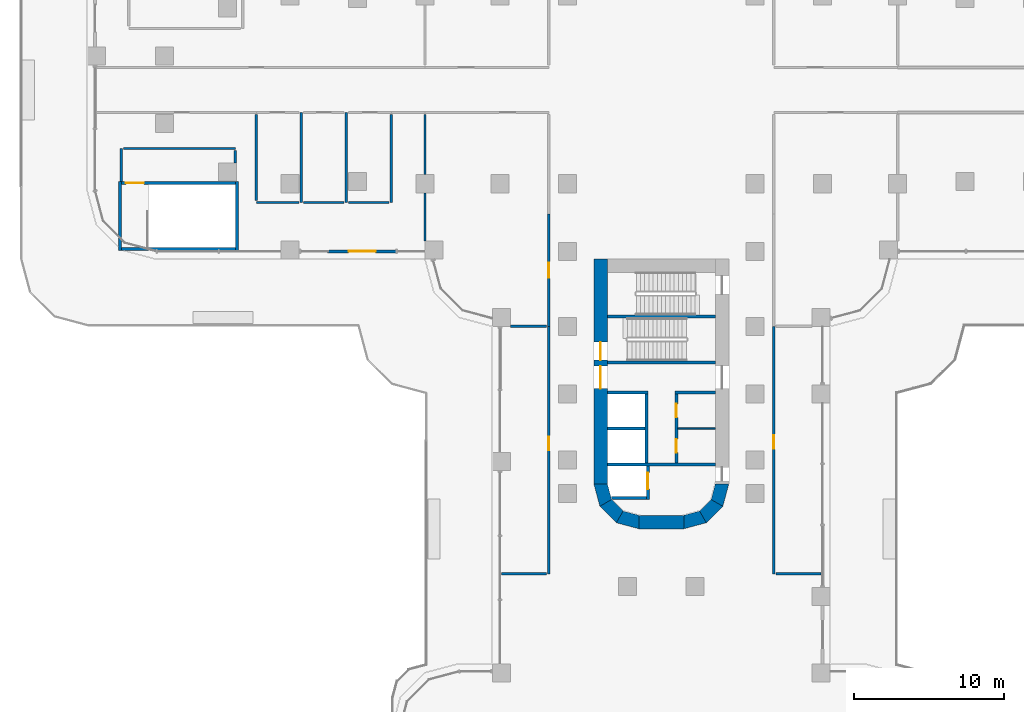
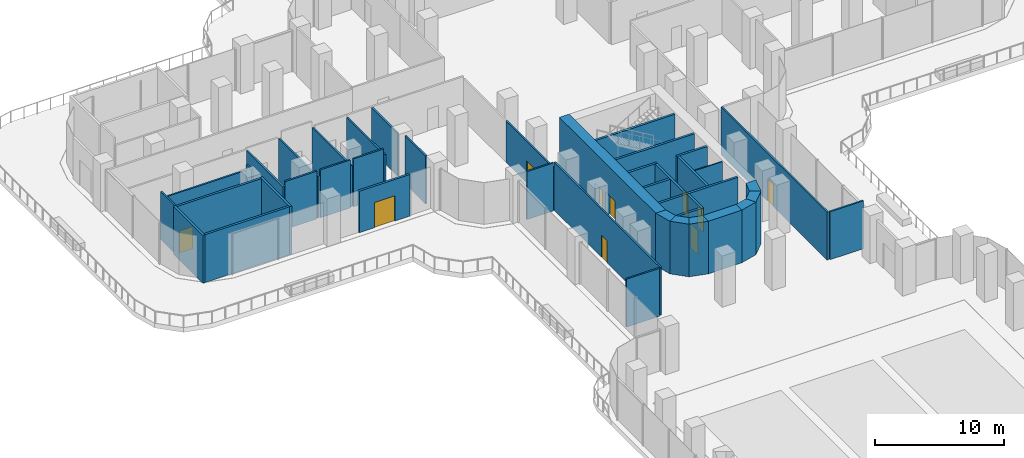
# One storey, part 13 of 21: 42 walls, 10 doors, 10 openings.
"""IFC4 building model written with IfcOpenShell, lengths in metres."""

from ifc_helpers import new_model, si_unit, direction, frame, frame_2d, origin, place, context, subcontext, project, spatial, polyline, rectangle, outline, extrude, material, layer, layer_set, type_object, element, fill, save


model = new_model("IFC4")

# Units and contexts
model_context = context("Model", 3, precision=1e-05, world=origin(), true_north=direction((0.0, 1.0)))
body_context = subcontext(model_context, "Body", "Model", "MODEL_VIEW")
ifc_project = project(units=[si_unit("LENGTHUNIT", "METRE"), si_unit("AREAUNIT", "SQUARE_METRE"), si_unit("VOLUMEUNIT", "CUBIC_METRE"), si_unit("PLANEANGLEUNIT", "RADIAN"), si_unit("MASSUNIT", "GRAM", prefix="KILO")], contexts=[model_context])

# Site, building, storey
site_placement = place(None, origin())
site = spatial("IfcSite", under=ifc_project, at=site_placement, CompositionType="ELEMENT")
building_placement = place(site_placement, origin())
building = spatial("IfcBuilding", under=site, at=building_placement, Name="Zarbagh Exchange Tower", CompositionType="ELEMENT")
storey_placement = place(building_placement, frame((0.0, 0.0, 22.0)))
storey = spatial("IfcBuildingStorey", under=building, at=storey_placement, Name="L04", CompositionType="ELEMENT", Elevation=22.0)

# Walls
ifc_material_1 = material(Name="Plasterboard partition")
ifc_layer_1 = layer(ifc_material_1, 0.14990234375)
ifc_layer_set_1 = layer_set([ifc_layer_1], Name="Board partition 150")
wall_type_1 = type_object("IfcWallType", Name="Board partition 150", PredefinedType="PARTITIONING", material=ifc_layer_set_1)
wall_1_placement = place(storey_placement, frame((-36.0, -6.10009765625, 0.0), z_axis=(0.0, 0.0, 1.0), x_axis=(0.0, 1.0, 0.0)))
element("IfcWall", 1, at=wall_1_placement, inside=storey, type_object=wall_type_1, Name="WL-L04-W006", PredefinedType="PARTITIONING", context=body_context, shape_type="SweptSolid", body=[
    extrude(rectangle(XDim=2.2001953125, YDim=0.14990234375, at=frame_2d((1.10009765625, 0.0))), origin(), (0.0, 0.0, 1.0), 4.550048828125),
])
wall_2_placement = place(storey_placement, frame((-35.85009765625, -3.89990234375, 0.0), z_axis=(0.0, 0.0, 1.0), x_axis=(1.0, 0.0, 0.0)))
element("IfcWall", 2, at=wall_2_placement, inside=storey, type_object=wall_type_1, Name="WL-L04-W007", PredefinedType="PARTITIONING", context=body_context, shape_type="SweptSolid", body=[
    extrude(rectangle(XDim=7.4501953125, YDim=0.14990234375, at=frame_2d((3.72509765625, 0.0))), origin(), (0.0, 0.0, 1.0), 3.929931640625),
])
wall_3_placement = place(storey_placement, frame((-28.39990234375, -4.050048828125, 0.0), z_axis=(0.0, 0.0, 1.0), x_axis=(0.0, -1.0, 0.0)))
element("IfcWall", 3, at=wall_3_placement, inside=storey, type_object=wall_type_1, Name="WL-L04-W008", PredefinedType="PARTITIONING", context=body_context, shape_type="SweptSolid", body=[
    extrude(rectangle(XDim=0.824951171875, YDim=0.14990234375, at=frame_2d((0.41259765625, 0.0))), origin(), (0.0, 0.0, 1.0), 4.550048828125),
])
wall_4_placement = place(storey_placement, frame((-24.0, -1.5, 0.0), z_axis=(0.0, 0.0, 1.0), x_axis=(0.0, -1.0, 0.0)))
element("IfcWall", 4, at=wall_4_placement, inside=storey, type_object=wall_type_1, Name="WL-L04-W015", PredefinedType="PARTITIONING", context=body_context, shape_type="SweptSolid", body=[
    extrude(rectangle(XDim=6.0, YDim=0.14990234375, at=frame_2d((3.0, 0.0))), origin(), (0.0, 0.0, 1.0), 3.929931640625),
])
wall_5_placement = place(storey_placement, frame((-24.14990234375, -7.5, 0.0), z_axis=(0.0, 0.0, 1.0), x_axis=(-1.0, 0.0, 0.0)))
element("IfcWall", 5, at=wall_5_placement, inside=storey, type_object=wall_type_1, Name="WL-L04-W017", PredefinedType="PARTITIONING", context=body_context, shape_type="SweptSolid", body=[
    extrude(rectangle(XDim=2.85009765625, YDim=0.14990234375, at=frame_2d((1.425048828125, 0.0))), origin(), (0.0, 0.0, 1.0), 4.550048828125),
])
wall_6_placement = place(storey_placement, frame((-27.0, -7.35009765625, 0.0), z_axis=(0.0, 0.0, 1.0), x_axis=(0.0, 1.0, 0.0)))
element("IfcWall", 6, at=wall_6_placement, inside=storey, type_object=wall_type_1, Name="WL-L04-W018", PredefinedType="PARTITIONING", context=body_context, shape_type="SweptSolid", body=[
    extrude(rectangle(XDim=5.7001953125, YDim=0.14990234375, at=frame_2d((2.85009765625, 0.0))), origin(), (0.0, 0.0, 1.0), 3.929931640625),
])
wall_7_placement = place(storey_placement, frame((-21.0, -1.5, 0.0), z_axis=(0.0, 0.0, 1.0), x_axis=(0.0, -1.0, 0.0)))
element("IfcWall", 7, at=wall_7_placement, inside=storey, type_object=wall_type_1, Name="WL-L04-W019", PredefinedType="PARTITIONING", context=body_context, shape_type="SweptSolid", body=[
    extrude(rectangle(XDim=6.0, YDim=0.14990234375, at=frame_2d((3.0, 0.0))), origin(), (0.0, 0.0, 1.0), 3.929931640625),
])
wall_8_placement = place(storey_placement, frame((-21.14990234375, -7.5, 0.0), z_axis=(0.0, 0.0, 1.0), x_axis=(-1.0, 0.0, 0.0)))
element("IfcWall", 8, at=wall_8_placement, inside=storey, type_object=wall_type_1, Name="WL-L04-W021", PredefinedType="PARTITIONING", context=body_context, shape_type="SweptSolid", body=[
    extrude(rectangle(XDim=2.7001953125, YDim=0.14990234375, at=frame_2d((1.35009765625, 0.0))), origin(), (0.0, 0.0, 1.0), 4.550048828125),
])
wall_9_placement = place(storey_placement, frame((-18.0, -1.64990234375, 0.0), z_axis=(0.0, 0.0, 1.0), x_axis=(0.0, -1.0, 0.0)))
element("IfcWall", 9, at=wall_9_placement, inside=storey, type_object=wall_type_1, Name="WL-L04-W023", PredefinedType="PARTITIONING", context=body_context, shape_type="SweptSolid", body=[
    extrude(rectangle(XDim=5.85009765625, YDim=0.14990234375, at=frame_2d((2.925048828125, 0.0))), origin(), (0.0, 0.0, 1.0), 3.929931640625),
])
wall_10_placement = place(storey_placement, frame((-18.14990234375, -7.5, 0.0), z_axis=(0.0, 0.0, 1.0), x_axis=(-1.0, 0.0, 0.0)))
element("IfcWall", 10, at=wall_10_placement, inside=storey, type_object=wall_type_1, Name="WL-L04-W024", PredefinedType="PARTITIONING", context=body_context, shape_type="SweptSolid", body=[
    extrude(rectangle(XDim=2.7001953125, YDim=0.14990234375, at=frame_2d((1.35009765625, 0.0))), origin(), (0.0, 0.0, 1.0), 4.550048828125),
])

# Wall, opening, door
wall_11_placement = place(storey_placement, frame((7.5, -15.75, 0.0), z_axis=(0.0, 0.0, 1.0), x_axis=(0.0, -1.0, 0.0)))
wall_11 = element("IfcWall", 11, at=wall_11_placement, inside=storey, type_object=wall_type_1, Name="WL-L04-W030", PredefinedType="PARTITIONING", context=body_context, shape_type="SweptSolid", body=[
    extrude(rectangle(XDim=16.5, YDim=0.14990234375, at=frame_2d((8.25, 0.0))), origin(), (0.0, 0.0, 1.0), 4.550048828125),
])
opening_1_placement = place(wall_11_placement, frame((7.25, 0.0, 0.0)))
opening_1 = element("IfcOpeningElement", 12, at=opening_1_placement, cuts=wall_11, Name="Opening D49", PredefinedType="OPENING", context=body_context, shape_type="SweptSolid", body=[
    extrude(rectangle(XDim=0.89990234375, YDim=2.10009765625, at=frame_2d((0.449951171875, 1.050048828125))), frame((0.0, 0.0849609375, 0.0), z_axis=(0.0, -1.0, 0.0), x_axis=(1.0, 0.0, 0.0)), (0.0, 0.0, 1.0), 0.169921875),
])
ifc_material_2 = material(Name="Timber door leaf", Category="wood")
door_type_1 = type_object("IfcDoorType", Name="Door single 900x2100", OperationType="SINGLE_SWING_LEFT", PredefinedType="DOOR", material=ifc_material_2)
door_1_placement = place(opening_1_placement, origin())
door_1 = element("IfcDoor", 13, at=door_1_placement, inside=storey, type_object=door_type_1, Name="D08", OperationType="SINGLE_SWING_LEFT", OverallHeight=2.10009765625, OverallWidth=0.89990234375, PredefinedType="DOOR", context=body_context, shape_type="SweptSolid", body=[
    extrude(rectangle(XDim=0.89990234375, YDim=2.10009765625, at=frame_2d((0.449951171875, 1.050048828125))), frame((0.0, 0.02490234375, 0.0), z_axis=(0.0, -1.0, 0.0), x_axis=(1.0, 0.0, 0.0)), (0.0, 0.0, 1.0), 0.050048828125),
])
fill(opening_1, door_1)

wall_12_placement = place(storey_placement, frame((-7.5, -15.75, 0.0), z_axis=(0.0, 0.0, 1.0), x_axis=(0.0, 1.0, 0.0)))
wall_12 = element("IfcWall", 14, at=wall_12_placement, inside=storey, type_object=wall_type_1, Name="WL-L04-W031", PredefinedType="PARTITIONING", context=body_context, shape_type="SweptSolid", body=[
    extrude(rectangle(XDim=7.5, YDim=0.14990234375, at=frame_2d((3.75, 0.0))), origin(), (0.0, 0.0, 1.0), 3.929931640625),
])
opening_2_placement = place(wall_12_placement, frame((3.25, 0.0, 0.0)))
opening_2 = element("IfcOpeningElement", 15, at=opening_2_placement, cuts=wall_12, Name="Opening D51", PredefinedType="OPENING", context=body_context, shape_type="SweptSolid", body=[
    extrude(rectangle(XDim=1.0, YDim=2.10009765625, at=frame_2d((0.5, 1.050048828125))), frame((0.0, 0.0849609375, 0.0), z_axis=(0.0, -1.0, 0.0), x_axis=(1.0, 0.0, 0.0)), (0.0, 0.0, 1.0), 0.169921875),
])
door_type_2 = type_object("IfcDoorType", Name="Door single 1000x2100", OperationType="SINGLE_SWING_LEFT", PredefinedType="DOOR", material=ifc_material_2)
door_2_placement = place(opening_2_placement, origin())
door_2 = element("IfcDoor", 16, at=door_2_placement, inside=storey, type_object=door_type_2, Name="D09", OperationType="SINGLE_SWING_LEFT", OverallHeight=2.10009765625, OverallWidth=1.0, PredefinedType="DOOR", context=body_context, shape_type="SweptSolid", body=[
    extrude(rectangle(XDim=1.0, YDim=2.10009765625, at=frame_2d((0.5, 1.050048828125))), frame((0.0, 0.02490234375, 0.0), z_axis=(0.0, -1.0, 0.0), x_axis=(1.0, 0.0, 0.0)), (0.0, 0.0, 1.0), 0.050048828125),
])
fill(opening_2, door_2)

wall_13_placement = place(storey_placement, frame((-7.5, -32.25, 0.0), z_axis=(0.0, 0.0, 1.0), x_axis=(0.0, 1.0, 0.0)))
wall_13 = element("IfcWall", 17, at=wall_13_placement, inside=storey, type_object=wall_type_1, Name="WL-L04-W032", PredefinedType="PARTITIONING", context=body_context, shape_type="SweptSolid", body=[
    extrude(rectangle(XDim=16.5, YDim=0.14990234375, at=frame_2d((8.25, 0.0))), origin(), (0.0, 0.0, 1.0), 4.550048828125),
])
opening_3_placement = place(wall_13_placement, frame((8.25, 0.0, 0.0)))
opening_3 = element("IfcOpeningElement", 18, at=opening_3_placement, cuts=wall_13, Name="Opening D10", PredefinedType="OPENING", context=body_context, shape_type="SweptSolid", body=[
    extrude(rectangle(XDim=0.89990234375, YDim=2.10009765625, at=frame_2d((0.449951171875, 1.050048828125))), frame((0.0, 0.0849609375, 0.0), z_axis=(0.0, -1.0, 0.0), x_axis=(1.0, 0.0, 0.0)), (0.0, 0.0, 1.0), 0.169921875),
])
door_3_placement = place(opening_3_placement, origin())
door_3 = element("IfcDoor", 19, at=door_3_placement, inside=storey, type_object=door_type_1, Name="D10", OperationType="SINGLE_SWING_LEFT", OverallHeight=2.10009765625, OverallWidth=0.89990234375, PredefinedType="DOOR", context=body_context, shape_type="SweptSolid", body=[
    extrude(rectangle(XDim=0.89990234375, YDim=2.10009765625, at=frame_2d((0.449951171875, 1.050048828125))), frame((0.0, 0.02490234375, 0.0), z_axis=(0.0, -1.0, 0.0), x_axis=(1.0, 0.0, 0.0)), (0.0, 0.0, 1.0), 0.050048828125),
])
fill(opening_3, door_3)

# Walls
wall_14_placement = place(storey_placement, frame((10.64990234375, -32.25, 0.0), z_axis=(0.0, 0.0, 1.0), x_axis=(-1.0, 0.0, 0.0)))
element("IfcWall", 20, at=wall_14_placement, inside=storey, type_object=wall_type_1, Name="WL-L04-W056", PredefinedType="PARTITIONING", context=body_context, shape_type="SweptSolid", body=[
    extrude(rectangle(XDim=3.0, YDim=0.14990234375, at=frame_2d((1.5, 0.0))), origin(), (0.0, 0.0, 1.0), 4.550048828125),
])
wall_15_placement = place(storey_placement, frame((-15.75, -10.050048828125, 0.0), z_axis=(0.0, 0.0, 1.0), x_axis=(0.0, 1.0, 0.0)))
element("IfcWall", 21, at=wall_15_placement, inside=storey, type_object=wall_type_1, Name="WL-L04-W057", PredefinedType="PARTITIONING", context=body_context, shape_type="SweptSolid", body=[
    extrude(rectangle(XDim=3.199951171875, YDim=0.14990234375, at=frame_2d((1.60009765625, 0.0))), origin(), (0.0, 0.0, 1.0), 4.550048828125),
])
wall_16_placement = place(storey_placement, frame((-15.75, -5.64990234375, 0.0), z_axis=(0.0, 0.0, 1.0), x_axis=(0.0, 1.0, 0.0)))
element("IfcWall", 22, at=wall_16_placement, inside=storey, type_object=wall_type_1, Name="WL-L04-W058", PredefinedType="PARTITIONING", context=body_context, shape_type="SweptSolid", body=[
    extrude(rectangle(XDim=4.0, YDim=0.14990234375, at=frame_2d((2.0, 0.0))), origin(), (0.0, 0.0, 1.0), 4.06298828125),
])
wall_17_placement = place(storey_placement, frame((-7.64990234375, -15.75, 0.0), z_axis=(0.0, 0.0, 1.0), x_axis=(-1.0, 0.0, 0.0)))
element("IfcWall", 23, at=wall_17_placement, inside=storey, type_object=wall_type_1, Name="WL-L04-W059", PredefinedType="PARTITIONING", context=body_context, shape_type="SweptSolid", body=[
    extrude(rectangle(XDim=2.400146484375, YDim=0.14990234375, at=frame_2d((1.2001953125, 0.0))), origin(), (0.0, 0.0, 1.0), 4.550048828125),
])
wall_18_placement = place(storey_placement, frame((-7.64990234375, -32.25, 0.0), z_axis=(0.0, 0.0, 1.0), x_axis=(-1.0, 0.0, 0.0)))
element("IfcWall", 24, at=wall_18_placement, inside=storey, type_object=wall_type_1, Name="WL-L04-W061", PredefinedType="PARTITIONING", context=body_context, shape_type="SweptSolid", body=[
    extrude(rectangle(XDim=3.0, YDim=0.14990234375, at=frame_2d((1.5, 0.0))), origin(), (0.0, 0.0, 1.0), 4.550048828125),
])
ifc_material_3 = material(Name="Dense blockwork", Category="masonry")
ifc_layer_2 = layer(ifc_material_3, 0.10009765625)
ifc_layer_set_2 = layer_set([ifc_layer_2], Name="Core partition 100 mm blockwork")
wall_type_2 = type_object("IfcWallType", Name="Core partition 100 mm blockwork", PredefinedType="PARTITIONING", material=ifc_layer_set_2)
wall_19_placement = place(storey_placement, frame((3.60009765625, -22.550048828125, 0.0), z_axis=(0.0, 0.0, 1.0), x_axis=(-1.0, 0.0, 0.0)))
element("IfcWall", 25, at=wall_19_placement, inside=storey, type_object=wall_type_2, Name="South core partition wall CUT-W-580", PredefinedType="PARTITIONING", context=body_context, shape_type="SweptSolid", body=[
    extrude(rectangle(XDim=2.5, YDim=0.10009765625, at=frame_2d((1.25, 0.0))), origin(), (0.0, 0.0, 1.0), 4.85009765625),
])
ifc_material_4 = material(Name="Concrete C60/75", Category="concrete")
ifc_layer_3 = layer(ifc_material_4, 0.89990234375)
ifc_layer_set_3 = layer_set([ifc_layer_3], Name="RC core corner wall 900 C60/75")
wall_type_3 = type_object("IfcWallType", Name="RC core corner wall 900 C60/75", PredefinedType="SHEAR", material=ifc_layer_set_3)
wall_20_placement = place(storey_placement, origin())
element("IfcWall", 26, at=wall_20_placement, inside=storey, type_object=wall_type_3, Name="CW2 core S corner W", PredefinedType="SHEAR", context=body_context, shape_type="SweptSolid", body=[
    extrude(outline(polyline([(-4.5, -26.25), (-4.09814453125, -27.75), (-3.318603515625, -27.300048828125), (-3.60009765625, -26.25), (-4.5, -26.25)])), origin(), (0.0, 0.0, 1.0), 5.0),
])
wall_21_placement = place(storey_placement, origin())
element("IfcWall", 27, at=wall_21_placement, inside=storey, type_object=wall_type_3, Name="CW2 core S corner W", PredefinedType="SHEAR", context=body_context, shape_type="SweptSolid", body=[
    extrude(outline(polyline([(-4.09814453125, -27.75), (-3.0, -28.84814453125), (-2.550048828125, -28.068603515625), (-3.318603515625, -27.300048828125), (-4.09814453125, -27.75)])), origin(), (0.0, 0.0, 1.0), 5.0),
])
wall_22_placement = place(storey_placement, origin())
element("IfcWall", 28, at=wall_22_placement, inside=storey, type_object=wall_type_3, Name="CW2 core S corner W", PredefinedType="SHEAR", context=body_context, shape_type="SweptSolid", body=[
    extrude(outline(polyline([(-3.0, -28.84814453125), (-1.5, -29.25), (-1.5, -28.35009765625), (-2.550048828125, -28.068603515625), (-3.0, -28.84814453125)])), origin(), (0.0, 0.0, 1.0), 5.0),
])
wall_23_placement = place(storey_placement, origin())
element("IfcWall", 29, at=wall_23_placement, inside=storey, type_object=wall_type_3, Name="CW2 core S corner E", PredefinedType="SHEAR", context=body_context, shape_type="SweptSolid", body=[
    extrude(outline(polyline([(4.5, -26.25), (4.09814453125, -27.75), (3.318603515625, -27.300048828125), (3.60009765625, -26.25), (4.5, -26.25)])), origin(), (0.0, 0.0, 1.0), 5.0),
])
wall_24_placement = place(storey_placement, origin())
element("IfcWall", 30, at=wall_24_placement, inside=storey, type_object=wall_type_3, Name="CW2 core S corner E", PredefinedType="SHEAR", context=body_context, shape_type="SweptSolid", body=[
    extrude(outline(polyline([(4.09814453125, -27.75), (3.0, -28.84814453125), (2.550048828125, -28.068603515625), (3.318603515625, -27.300048828125), (4.09814453125, -27.75)])), origin(), (0.0, 0.0, 1.0), 5.0),
])
wall_25_placement = place(storey_placement, origin())
element("IfcWall", 31, at=wall_25_placement, inside=storey, type_object=wall_type_3, Name="CW2 core S corner E", PredefinedType="SHEAR", context=body_context, shape_type="SweptSolid", body=[
    extrude(outline(polyline([(3.0, -28.84814453125), (1.5, -29.25), (1.5, -28.35009765625), (2.550048828125, -28.068603515625), (3.0, -28.84814453125)])), origin(), (0.0, 0.0, 1.0), 5.0),
])

# Wall, openings, doors
ifc_layer_4 = layer(ifc_material_4, 0.89990234375)
ifc_layer_set_4 = layer_set([ifc_layer_4], Name="RC core wall 900 C60/75")
wall_type_4 = type_object("IfcWallType", Name="RC core wall 900 C60/75", PredefinedType="SHEAR", material=ifc_layer_set_4)
wall_26_placement = place(storey_placement, frame((-4.050048828125, -11.25, 0.0), z_axis=(0.0, 0.0, 1.0), x_axis=(0.0, -1.0, 0.0)))
wall_26 = element("IfcWall", 32, at=wall_26_placement, inside=storey, type_object=wall_type_4, Name="CW1 core S W", PredefinedType="SHEAR", context=body_context, shape_type="SweptSolid", body=[
    extrude(rectangle(XDim=15.0, YDim=0.89990234375, at=frame_2d((7.5, 0.0))), origin(), (0.0, 0.0, 1.0), 5.0),
])
opening_4_placement = place(wall_26_placement, frame((7.14990234375, 0.0, 0.0)))
opening_4 = element("IfcOpeningElement", 33, at=opening_4_placement, cuts=wall_26, Name="Opening CD1-1500", PredefinedType="OPENING", context=body_context, shape_type="SweptSolid", body=[
    extrude(rectangle(XDim=1.5, YDim=2.300048828125, at=frame_2d((0.75, 1.14990234375))), frame((0.0, 0.4599609375, 0.0), z_axis=(0.0, -1.0, 0.0), x_axis=(1.0, 0.0, 0.0)), (0.0, 0.0, 1.0), 0.919921875),
])
opening_5_placement = place(wall_26_placement, frame((5.550048828125, 0.0, 0.0)))
opening_5 = element("IfcOpeningElement", 34, at=opening_5_placement, cuts=wall_26, Name="Opening SD1-1200", PredefinedType="OPENING", context=body_context, shape_type="SweptSolid", body=[
    extrude(rectangle(XDim=1.199951171875, YDim=2.10009765625, at=frame_2d((0.60009765625, 1.050048828125))), frame((0.0, 0.4599609375, 0.0), z_axis=(0.0, -1.0, 0.0), x_axis=(1.0, 0.0, 0.0)), (0.0, 0.0, 1.0), 0.919921875),
])
ifc_material_5 = material(Name="Steel", Category="steel")
door_type_3 = type_object("IfcDoorType", Name="Exit stair door 1200 x 2100", OperationType="NOTDEFINED", PredefinedType="DOOR", material=ifc_material_5)
door_4_placement = place(opening_5_placement, origin())
door_4 = element("IfcDoor", 35, at=door_4_placement, inside=storey, type_object=door_type_3, Name="South core stair door ST1", OperationType="SINGLE_SWING_LEFT", OverallHeight=2.10009765625, OverallWidth=1.199951171875, PredefinedType="DOOR", context=body_context, shape_type="SweptSolid", body=[
    extrude(rectangle(XDim=1.199951171875, YDim=2.10009765625, at=frame_2d((0.60009765625, 1.050048828125))), frame((0.0, 0.02490234375, 0.0), z_axis=(0.0, -1.0, 0.0), x_axis=(1.0, 0.0, 0.0)), (0.0, 0.0, 1.0), 0.050048828125),
])
fill(opening_5, door_4)
door_type_4 = type_object("IfcDoorType", Name="Lift lobby double door 1500 x 2300", OperationType="NOTDEFINED", PredefinedType="DOOR", material=ifc_material_5)
door_5_placement = place(opening_4_placement, origin())
door_5 = element("IfcDoor", 36, at=door_5_placement, inside=storey, type_object=door_type_4, Name="South core lift lobby door LOBBY-E", OperationType="DOUBLE_DOOR_SINGLE_SWING", OverallHeight=2.300048828125, OverallWidth=1.5, PredefinedType="DOOR", context=body_context, shape_type="SweptSolid", body=[
    extrude(rectangle(XDim=1.5, YDim=2.300048828125, at=frame_2d((0.75, 1.14990234375))), frame((0.0, 0.02490234375, 0.0), z_axis=(0.0, -1.0, 0.0), x_axis=(1.0, 0.0, 0.0)), (0.0, 0.0, 1.0), 0.050048828125),
])
fill(opening_4, door_5)

# Walls
wall_27_placement = place(storey_placement, frame((-1.5, -28.800048828125, 0.0), z_axis=(0.0, 0.0, 1.0), x_axis=(1.0, 0.0, 0.0)))
element("IfcWall", 37, at=wall_27_placement, inside=storey, type_object=wall_type_4, Name="CW1 core S outer end", PredefinedType="SHEAR", context=body_context, shape_type="SweptSolid", body=[
    extrude(rectangle(XDim=3.0, YDim=0.89990234375, at=frame_2d((1.5, 0.0))), origin(), (0.0, 0.0, 1.0), 5.0),
])
ifc_layer_5 = layer(ifc_material_3, 0.199951171875)
ifc_layer_set_5 = layer_set([ifc_layer_5], Name="Shaft wall 200 mm blockwork")
wall_type_5 = type_object("IfcWallType", Name="Shaft wall 200 mm blockwork", PredefinedType="PARTITIONING", material=ifc_layer_set_5)
wall_28_placement = place(storey_placement, frame((3.60009765625, -20.14990234375, 0.0), z_axis=(0.0, 0.0, 1.0), x_axis=(-1.0, 0.0, 0.0)))
element("IfcWall", 38, at=wall_28_placement, inside=storey, type_object=wall_type_5, Name="South core shaft wall AB-W", PredefinedType="PARTITIONING", context=body_context, shape_type="SweptSolid", body=[
    extrude(rectangle(XDim=2.7001953125, YDim=0.199951171875, at=frame_2d((1.35009765625, 0.0))), origin(), (0.0, 0.0, 1.0), 4.85009765625),
])

# Wall, openings, doors
wall_29_placement = place(storey_placement, frame((1.0, -24.85009765625, 0.0), z_axis=(0.0, 0.0, 1.0), x_axis=(0.0, 1.0, 0.0)))
wall_29 = element("IfcWall", 39, at=wall_29_placement, inside=storey, type_object=wall_type_5, Name="South core shaft wall LW-W", PredefinedType="PARTITIONING", context=body_context, shape_type="SweptSolid", body=[
    extrude(rectangle(XDim=4.60009765625, YDim=0.199951171875, at=frame_2d((2.300048828125, 0.0))), origin(), (0.0, 0.0, 1.0), 4.85009765625),
])
opening_6_placement = place(wall_29_placement, frame((0.675048828125, 0.0, 0.0)))
opening_6 = element("IfcOpeningElement", 40, at=opening_6_placement, cuts=wall_29, Name="Opening CD3-900", PredefinedType="OPENING", context=body_context, shape_type="SweptSolid", body=[
    extrude(rectangle(XDim=0.89990234375, YDim=2.10009765625, at=frame_2d((0.449951171875, 1.050048828125))), frame((0.0, 0.10986328125, 0.0), z_axis=(0.0, -1.0, 0.0), x_axis=(1.0, 0.0, 0.0)), (0.0, 0.0, 1.0), 0.219970703125),
])
opening_7_placement = place(wall_29_placement, frame((3.02490234375, 0.0, 0.0)))
opening_7 = element("IfcOpeningElement", 41, at=opening_7_placement, cuts=wall_29, Name="Opening CD3-900", PredefinedType="OPENING", context=body_context, shape_type="SweptSolid", body=[
    extrude(rectangle(XDim=0.89990234375, YDim=2.10009765625, at=frame_2d((0.449951171875, 1.050048828125))), frame((0.0, 0.10986328125, 0.0), z_axis=(0.0, -1.0, 0.0), x_axis=(1.0, 0.0, 0.0)), (0.0, 0.0, 1.0), 0.219970703125),
])
door_type_5 = type_object("IfcDoorType", Name="Core room door 900 x 2100", OperationType="NOTDEFINED", PredefinedType="DOOR", material=ifc_material_5)
door_6_placement = place(opening_6_placement, origin())
door_6 = element("IfcDoor", 42, at=door_6_placement, inside=storey, type_object=door_type_5, Name="South core Staff WC door RD-W-0", OperationType="SINGLE_SWING_LEFT", OverallHeight=2.10009765625, OverallWidth=0.89990234375, PredefinedType="DOOR", context=body_context, shape_type="SweptSolid", body=[
    extrude(rectangle(XDim=0.89990234375, YDim=2.10009765625, at=frame_2d((0.449951171875, 1.050048828125))), frame((0.0, 0.02490234375, 0.0), z_axis=(0.0, -1.0, 0.0), x_axis=(1.0, 0.0, 0.0)), (0.0, 0.0, 1.0), 0.050048828125),
])
fill(opening_6, door_6)
door_7_placement = place(opening_7_placement, origin())
door_7 = element("IfcDoor", 43, at=door_7_placement, inside=storey, type_object=door_type_5, Name="South core Accessible WC door RD-W-1", OperationType="SINGLE_SWING_LEFT", OverallHeight=2.10009765625, OverallWidth=0.89990234375, PredefinedType="DOOR", context=body_context, shape_type="SweptSolid", body=[
    extrude(rectangle(XDim=0.89990234375, YDim=2.10009765625, at=frame_2d((0.449951171875, 1.050048828125))), frame((0.0, 0.02490234375, 0.0), z_axis=(0.0, -1.0, 0.0), x_axis=(1.0, 0.0, 0.0)), (0.0, 0.0, 1.0), 0.050048828125),
])
fill(opening_7, door_7)

# Walls
wall_30_placement = place(storey_placement, frame((-0.89990234375, -20.14990234375, 0.0), z_axis=(0.0, 0.0, 1.0), x_axis=(-1.0, 0.0, 0.0)))
element("IfcWall", 44, at=wall_30_placement, inside=storey, type_object=wall_type_5, Name="South core shaft wall AB-E", PredefinedType="PARTITIONING", context=body_context, shape_type="SweptSolid", body=[
    extrude(rectangle(XDim=2.7001953125, YDim=0.199951171875, at=frame_2d((1.35009765625, 0.0))), origin(), (0.0, 0.0, 1.0), 4.85009765625),
])
wall_31_placement = place(storey_placement, frame((-1.0, -24.85009765625, 0.0), z_axis=(0.0, 0.0, 1.0), x_axis=(0.0, 1.0, 0.0)))
element("IfcWall", 45, at=wall_31_placement, inside=storey, type_object=wall_type_5, Name="South core shaft wall LW-E", PredefinedType="PARTITIONING", context=body_context, shape_type="SweptSolid", body=[
    extrude(rectangle(XDim=4.60009765625, YDim=0.199951171875, at=frame_2d((2.300048828125, 0.0))), origin(), (0.0, 0.0, 1.0), 4.85009765625),
])
wall_32_placement = place(storey_placement, frame((-1.10009765625, -22.550048828125, 0.0), z_axis=(0.0, 0.0, 1.0), x_axis=(-1.0, 0.0, 0.0)))
element("IfcWall", 46, at=wall_32_placement, inside=storey, type_object=wall_type_5, Name="South core shaft wall TR-E", PredefinedType="PARTITIONING", context=body_context, shape_type="SweptSolid", body=[
    extrude(rectangle(XDim=2.5, YDim=0.199951171875, at=frame_2d((1.25, 0.0))), origin(), (0.0, 0.0, 1.0), 4.85009765625),
])
ifc_material_6 = material(Name="Concrete C40/50", Category="concrete")
ifc_layer_6 = layer(ifc_material_6, 0.199951171875)
ifc_layer_set_6 = layer_set([ifc_layer_6], Name="Stair enclosure wall 200 mm RC C40/50")
wall_type_6 = type_object("IfcWallType", Name="Stair enclosure wall 200 mm RC C40/50", PredefinedType="SHEAR", material=ifc_layer_set_6)
wall_33_placement = place(storey_placement, frame((3.60009765625, -24.949951171875, 0.0), z_axis=(0.0, 0.0, 1.0), x_axis=(-1.0, 0.0, 0.0)))
element("IfcWall", 47, at=wall_33_placement, inside=storey, type_object=wall_type_6, Name="South core lift shaft wall FFA", PredefinedType="SHEAR", context=body_context, shape_type="SweptSolid", body=[
    extrude(rectangle(XDim=7.2001953125, YDim=0.199951171875, at=frame_2d((3.60009765625, 0.0))), origin(), (0.0, 0.0, 1.0), 4.85009765625),
])

# Wall, opening, door
wall_34_placement = place(storey_placement, frame((-0.89990234375, -27.300048828125, 0.0), z_axis=(0.0, 0.0, 1.0), x_axis=(0.0, 1.0, 0.0)))
wall_34 = element("IfcWall", 48, at=wall_34_placement, inside=storey, type_object=wall_type_6, Name="South core lift shaft wall FFL", PredefinedType="SHEAR", context=body_context, shape_type="SweptSolid", body=[
    extrude(rectangle(XDim=2.25, YDim=0.199951171875, at=frame_2d((1.125, 0.0))), origin(), (0.0, 0.0, 1.0), 4.85009765625),
])
opening_8_placement = place(wall_34_placement, frame((0.699951171875, 0.0, 0.0)))
opening_8 = element("IfcOpeningElement", 49, at=opening_8_placement, cuts=wall_34, Name="Opening LD-1100", PredefinedType="OPENING", context=body_context, shape_type="SweptSolid", body=[
    extrude(rectangle(XDim=1.10009765625, YDim=2.300048828125, at=frame_2d((0.550048828125, 1.14990234375))), frame((0.0, 0.10986328125, 0.0), z_axis=(0.0, -1.0, 0.0), x_axis=(1.0, 0.0, 0.0)), (0.0, 0.0, 1.0), 0.219970703125),
])
ifc_material_7 = material(Name="Stainless steel", Category="steel")
door_type_6 = type_object("IfcDoorType", Name="Lift landing door 1100 x 2300", OperationType="NOTDEFINED", PredefinedType="DOOR", material=ifc_material_7)
door_8_placement = place(opening_8_placement, origin())
door_8 = element("IfcDoor", 50, at=door_8_placement, inside=storey, type_object=door_type_6, Name="South core lift landing door LD-F", OperationType="DOUBLE_DOOR_SLIDING", OverallHeight=2.300048828125, OverallWidth=1.10009765625, PredefinedType="DOOR", context=body_context, shape_type="SweptSolid", body=[
    extrude(rectangle(XDim=1.10009765625, YDim=2.300048828125, at=frame_2d((0.550048828125, 1.14990234375))), frame((0.0, 0.02490234375, 0.0), z_axis=(0.0, -1.0, 0.0), x_axis=(1.0, 0.0, 0.0)), (0.0, 0.0, 1.0), 0.050048828125),
])
fill(opening_8, door_8)

# Walls
wall_35_placement = place(storey_placement, origin())
element("IfcWall", 51, at=wall_35_placement, inside=storey, type_object=wall_type_6, Name="South core lift shaft wall FFX", PredefinedType="SHEAR", context=body_context, shape_type="SweptSolid", body=[
    extrude(outline(polyline([(-1.0, -27.10009765625), (-3.340576171875, -27.10009765625), (-3.291259765625, -27.2841796875), (-3.275390625, -27.300048828125), (-1.0, -27.300048828125), (-1.0, -27.10009765625)])), origin(), (0.0, 0.0, 1.0), 4.85009765625),
])
for number, where, z_axis, x_axis, name in (
    (52, (3.60009765625, -18.14990234375, 0.0), (0.0, 0.0, 1.0), (-1.0, 0.0, 0.0), "South core stair wall BS"),
    (53, (3.60009765625, -15.10009765625, 0.0), (0.0, 0.0, 1.0), (-1.0, 0.0, 0.0), "South core stair wall ST12"),
):
    element("IfcWall", number, at=place(storey_placement, frame(where, z_axis=z_axis, x_axis=x_axis)), inside=storey, type_object=wall_type_6, Name=name, PredefinedType="SHEAR", context=body_context, shape_type="SweptSolid", body=[
        extrude(rectangle(XDim=7.2001953125, YDim=0.199951171875, at=frame_2d((3.60009765625, 0.0))), origin(), (0.0, 0.0, 1.0), 4.85009765625),
    ])
for number, where, z_axis, x_axis, name in (
    (54, (-36.10009765625, -10.699951171875, 0.0), (0.0, 0.0, 1.0), (0.0, 1.0, 0.0), "Exit stair PS4 enclosure wall W"),
    (55, (-28.300048828125, -10.699951171875, 0.0), (0.0, 0.0, 1.0), (0.0, 1.0, 0.0), "Exit stair PS4 enclosure wall E"),
):
    element("IfcWall", number, at=place(storey_placement, frame(where, z_axis=z_axis, x_axis=x_axis)), inside=storey, type_object=wall_type_6, Name=name, PredefinedType="SHEAR", context=body_context, shape_type="SweptSolid", body=[
        extrude(rectangle(XDim=4.599853515625, YDim=0.199951171875, at=frame_2d((2.2998046875, 0.0))), origin(), (0.0, 0.0, 1.0), 4.550048828125),
    ])
wall_36_placement = place(storey_placement, frame((-36.0, -10.60009765625, 0.0), z_axis=(0.0, 0.0, 1.0), x_axis=(1.0, 0.0, 0.0)))
element("IfcWall", 56, at=wall_36_placement, inside=storey, type_object=wall_type_6, Name="Exit stair PS4 enclosure wall S", PredefinedType="SHEAR", context=body_context, shape_type="SweptSolid", body=[
    extrude(rectangle(XDim=7.60009765625, YDim=0.199951171875, at=frame_2d((3.800048828125, 0.0))), origin(), (0.0, 0.0, 1.0), 4.550048828125),
])

# Wall, opening, door
wall_37_placement = place(storey_placement, frame((-36.0, -6.199951171875, 0.0), z_axis=(0.0, 0.0, 1.0), x_axis=(1.0, 0.0, 0.0)))
wall_37 = element("IfcWall", 57, at=wall_37_placement, inside=storey, type_object=wall_type_6, Name="Exit stair PS4 enclosure wall N", PredefinedType="SHEAR", context=body_context, shape_type="SweptSolid", body=[
    extrude(rectangle(XDim=7.60009765625, YDim=0.199951171875, at=frame_2d((3.800048828125, 0.0))), origin(), (0.0, 0.0, 1.0), 4.550048828125),
])
opening_9_placement = place(wall_37_placement, frame((0.300048828125, 0.0, 0.0)))
opening_9 = element("IfcOpeningElement", 58, at=opening_9_placement, cuts=wall_37, Name="Opening SD1-1200", PredefinedType="OPENING", context=body_context, shape_type="SweptSolid", body=[
    extrude(rectangle(XDim=1.199951171875, YDim=2.10009765625, at=frame_2d((0.60009765625, 1.050048828125))), frame((0.0, 0.10986328125, 0.0), z_axis=(0.0, -1.0, 0.0), x_axis=(1.0, 0.0, 0.0)), (0.0, 0.0, 1.0), 0.219970703125),
])
door_9_placement = place(opening_9_placement, origin())
door_9 = element("IfcDoor", 59, at=door_9_placement, inside=storey, type_object=door_type_3, Name="Exit stair PS4 entry door", OperationType="SINGLE_SWING_RIGHT", OverallHeight=2.10009765625, OverallWidth=1.199951171875, PredefinedType="DOOR", context=body_context, shape_type="SweptSolid", body=[
    extrude(rectangle(XDim=1.199951171875, YDim=2.10009765625, at=frame_2d((0.60009765625, 1.050048828125))), frame((0.0, 0.02490234375, 0.0), z_axis=(0.0, -1.0, 0.0), x_axis=(1.0, 0.0, 0.0)), (0.0, 0.0, 1.0), 0.050048828125),
])
fill(opening_9, door_9)

ifc_material_8 = material(Name="Precast concrete C50/60", Category="concrete")
ifc_layer_7 = layer(ifc_material_8, 0.199951171875)
ifc_layer_set_7 = layer_set([ifc_layer_7], Name="Terrace door wall, precast concrete C50/60")
wall_type_7 = type_object("IfcWallType", Name="Terrace door wall, precast concrete C50/60", PredefinedType="SOLIDWALL", material=ifc_layer_set_7)
wall_38_placement = place(storey_placement, frame((-22.239990234375, -10.75, 0.0), z_axis=(0.0, 0.0, 1.0), x_axis=(1.0, 0.0, 0.0)))
wall_38 = element("IfcWall", 60, at=wall_38_placement, inside=storey, type_object=wall_type_7, Name="TW32 door wall", PredefinedType="SOLIDWALL", context=body_context, shape_type="SweptSolid", body=[
    extrude(rectangle(XDim=4.580078125, YDim=0.199951171875, at=frame_2d((2.2900390625, 0.0))), origin(), (0.0, 0.0, 1.0), 3.949951171875),
])
opening_10_placement = place(wall_38_placement, frame((1.389892578125, 0.0, 0.0)))
opening_10 = element("IfcOpeningElement", 61, at=opening_10_placement, cuts=wall_38, Name="Opening TD03", PredefinedType="OPENING", context=body_context, shape_type="SweptSolid", body=[
    extrude(rectangle(XDim=1.800048828125, YDim=2.39990234375, at=frame_2d((0.89990234375, 1.199951171875))), frame((0.0, 0.10986328125, 0.0), z_axis=(0.0, -1.0, 0.0), x_axis=(1.0, 0.0, 0.0)), (0.0, 0.0, 1.0), 0.219970703125),
])
ifc_material_9 = material(Name="Anodised aluminium and glass", Category="aluminium")
door_type_7 = type_object("IfcDoorType", Name="Terrace door, double leaf, aluminium and glass", OperationType="DOUBLE_DOOR_DOUBLE_SWING", PredefinedType="DOOR", material=ifc_material_9)
door_10_placement = place(opening_10_placement, origin())
door_10 = element("IfcDoor", 62, at=door_10_placement, inside=storey, type_object=door_type_7, Name="TD03 terrace door", OperationType="SINGLE_SWING_LEFT", OverallHeight=2.39990234375, OverallWidth=1.800048828125, PredefinedType="DOOR", context=body_context, shape_type="SweptSolid", body=[
    extrude(rectangle(XDim=1.800048828125, YDim=2.39990234375, at=frame_2d((0.89990234375, 1.199951171875))), frame((0.0, 0.02490234375, 0.0), z_axis=(0.0, -1.0, 0.0), x_axis=(1.0, 0.0, 0.0)), (0.0, 0.0, 1.0), 0.050048828125),
])
fill(opening_10, door_10)

save(model, "model.ifc")
